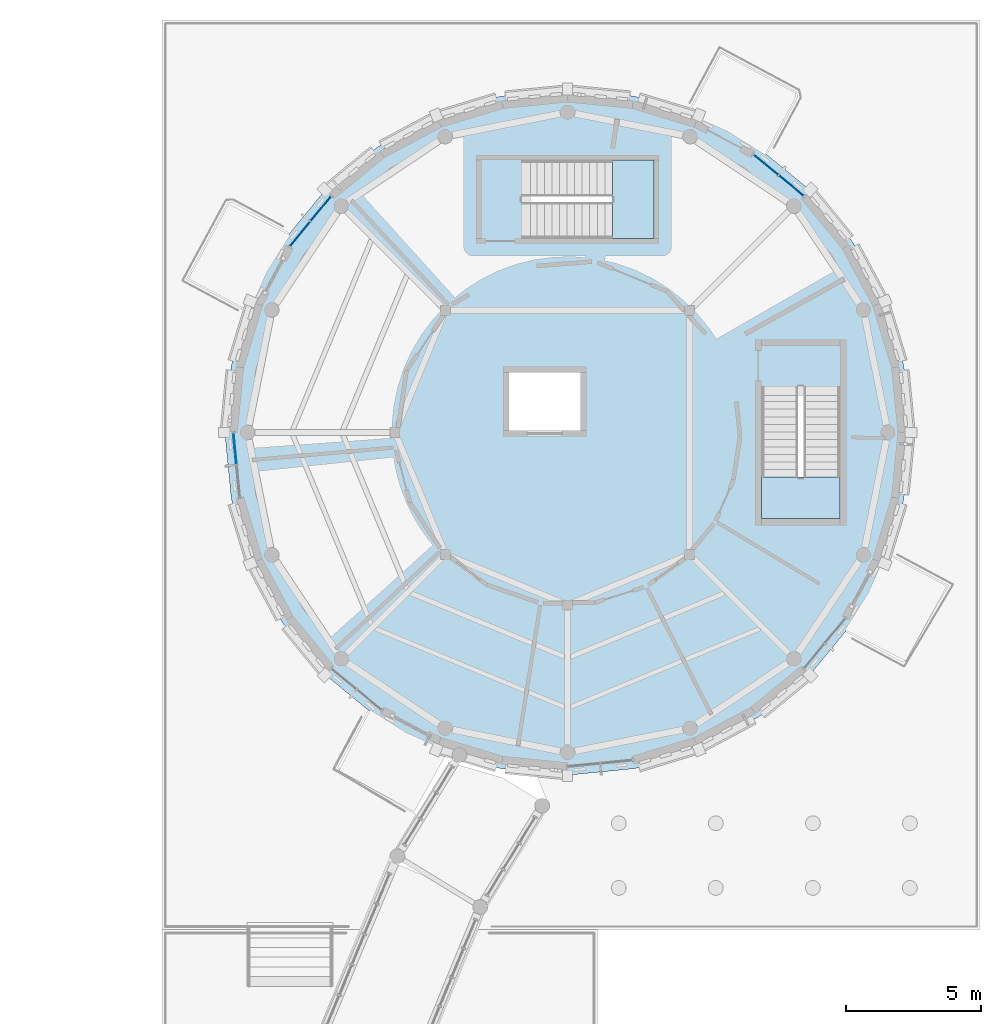
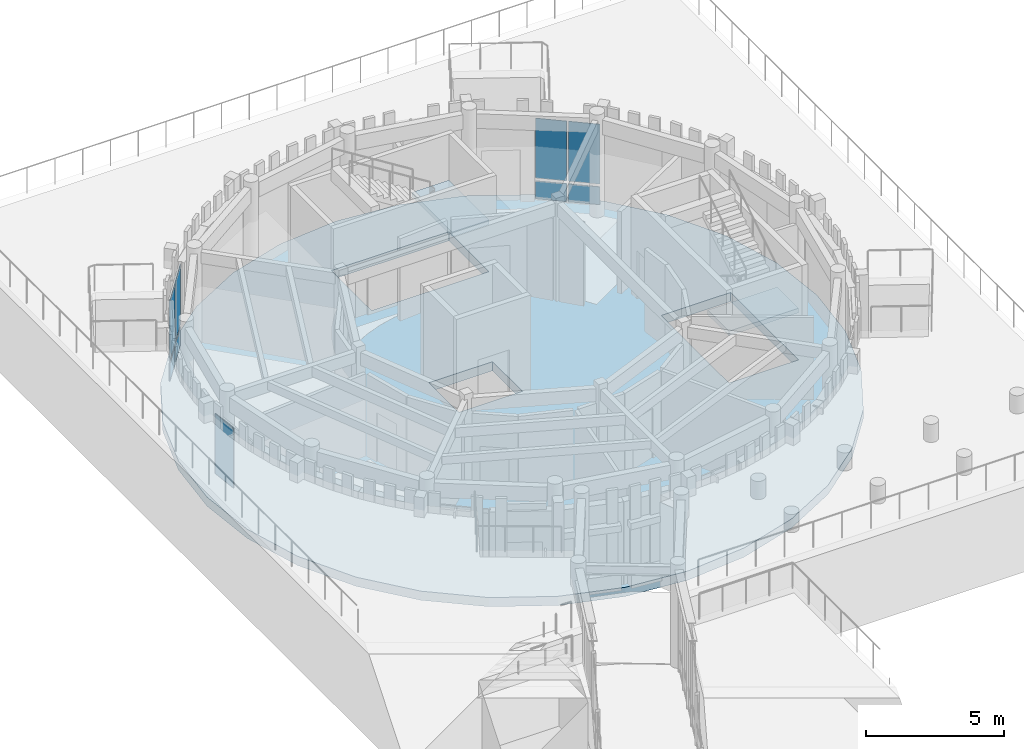
# One storey, part 44 of 94: 9 plates, 3 slabs, 5 elements without a shape of their own.
"""IFC4 building model written with IfcOpenShell, lengths in metres."""

from ifc_helpers import new_model, si_unit, direction, frame, origin, origin_2d, place, context, subcontext, project, spatial, polyline, rectangle, outline, extrude, material, layer, layer_set, type_object, element, aggregate, save


model = new_model("IFC4")

# Units and contexts
model_context = context("Model", 3, precision=1e-05, world=origin(), true_north=direction((0.0, 1.0)))
body_context = subcontext(model_context, "Body", "Model", "MODEL_VIEW")
ifc_project = project(units=[si_unit("LENGTHUNIT", "METRE"), si_unit("AREAUNIT", "SQUARE_METRE"), si_unit("VOLUMEUNIT", "CUBIC_METRE"), si_unit("PLANEANGLEUNIT", "RADIAN"), si_unit("MASSUNIT", "GRAM", prefix="KILO")], contexts=[model_context])

# Site, building, storey
site_placement = place(None, origin())
site = spatial("IfcSite", under=ifc_project, at=site_placement, CompositionType="ELEMENT")
building_placement = place(site_placement, origin())
building = spatial("IfcBuilding", under=site, at=building_placement, Name="Aldenvaro Health Centre", CompositionType="ELEMENT")
storey_placement = place(building_placement, origin())
storey = spatial("IfcBuildingStorey", under=building, at=storey_placement, Name="L00", CompositionType="ELEMENT", Elevation=0.0)

# Curtain wall, plate
ifc_material_1 = material(Name="Anodised Aluminium 6063-T6", Category="aluminium")
ifc_layer_1 = layer(ifc_material_1, 0.195068359375, Name="Anodised Aluminium 6063-T6", Category="aluminium")
ifc_layer_set_1 = layer_set([ifc_layer_1], Name="Anodised Aluminium 6063-T6")
curtain_wall_type = type_object("IfcCurtainWallType", Name="CW-CLN-02", PredefinedType="NOTDEFINED", material=ifc_layer_set_1)
curtain_wall_1_placement = place(storey_placement, origin())
curtain_wall_1 = element("IfcCurtainWall", 1, at=curtain_wall_1_placement, inside=storey, type_object=curtain_wall_type, Name="D2 L00 curtain wall bay 16", PredefinedType="NOTDEFINED")
ifc_material_2 = material(Name="Low-E Double Glazing IGU", Category="glass")
ifc_layer_2 = layer(ifc_material_2, 0.028076171875, Name="Low-E Double Glazing IGU", Category="glass")
ifc_layer_set_2 = layer_set([ifc_layer_2], Name="Low-E Double Glazing IGU")
plate_type_1 = type_object("IfcPlateType", Name="CWP-IGU-28", PredefinedType="CURTAIN_PANEL", material=ifc_layer_set_2)
plate_1_placement = place(storey_placement, frame((142.158935546875, 98.89501953125, 0.96044921875), z_axis=(0.0, 0.0, 1.0), x_axis=(-0.097914988926, 0.995194782414, 0.0)))
plate_1 = element("IfcPlate", 2, at=plate_1_placement, type_object=plate_type_1, Name="D2 L00 curtain wall bay 16 vision glazing 2", PredefinedType="CURTAIN_PANEL", context=body_context, shape_type="SweptSolid", body=[
    extrude(rectangle(XDim=1.14501953125, YDim=0.028076171875, at=origin_2d()), origin(), (0.0, 0.0, 1.0), 2.638916015625),
])
aggregate(curtain_wall_1, [plate_1])

# Curtain wall, plates
curtain_wall_2_placement = place(storey_placement, origin())
curtain_wall_2 = element("IfcCurtainWall", 3, at=curtain_wall_2_placement, inside=storey, type_object=curtain_wall_type, Name="D2 L00 curtain wall bay 20", PredefinedType="NOTDEFINED")
plate_2_placement = place(storey_placement, frame((144.575927734375, 106.85888671875, 0.96044921875), z_axis=(0.0, 0.0, 1.0), x_axis=(0.634379653268, 0.773021639749, 0.0)))
plate_2 = element("IfcPlate", 4, at=plate_2_placement, type_object=plate_type_1, Name="D2 L00 curtain wall bay 20 vision glazing 1", PredefinedType="CURTAIN_PANEL", context=body_context, shape_type="SweptSolid", body=[
    extrude(rectangle(XDim=1.14501953125, YDim=0.028076171875, at=origin_2d()), origin(), (0.0, 0.0, 1.0), 2.638916015625),
])
plate_3_placement = place(storey_placement, frame((145.345947265625, 107.798095703125, 0.96044921875), z_axis=(0.0, 0.0, 1.0), x_axis=(0.634379653268, 0.773021639749, 0.0)))
plate_3 = element("IfcPlate", 5, at=plate_3_placement, type_object=plate_type_1, Name="D2 L00 curtain wall bay 20 vision glazing 2", PredefinedType="CURTAIN_PANEL", context=body_context, shape_type="SweptSolid", body=[
    extrude(rectangle(XDim=1.14501953125, YDim=0.028076171875, at=origin_2d()), origin(), (0.0, 0.0, 1.0), 2.638916015625),
])

curtain_wall_3_placement = place(storey_placement, origin())
curtain_wall_3 = element("IfcCurtainWall", 6, at=curtain_wall_3_placement, inside=storey, type_object=curtain_wall_type, Name="D2 L00 curtain wall bay 28", PredefinedType="NOTDEFINED")
plate_4_placement = place(storey_placement, frame((161.85888671875, 109.424072265625, 0.96044921875), z_axis=(0.0, 0.0, 1.0), x_axis=(0.773021639749, -0.634379653268, 0.0)))
plate_4 = element("IfcPlate", 7, at=plate_4_placement, type_object=plate_type_1, Name="D2 L00 curtain wall bay 28 vision glazing 1", PredefinedType="CURTAIN_PANEL", context=body_context, shape_type="SweptSolid", body=[
    extrude(rectangle(XDim=1.14501953125, YDim=0.028076171875, at=origin_2d()), origin(), (0.0, 0.0, 1.0), 2.638916015625),
])
plate_5_placement = place(storey_placement, frame((162.798095703125, 108.654052734375, 0.96044921875), z_axis=(0.0, 0.0, 1.0), x_axis=(0.773021639749, -0.634379653268, 0.0)))
plate_5 = element("IfcPlate", 8, at=plate_5_placement, type_object=plate_type_1, Name="D2 L00 curtain wall bay 28 vision glazing 2", PredefinedType="CURTAIN_PANEL", context=body_context, shape_type="SweptSolid", body=[
    extrude(rectangle(XDim=1.14501953125, YDim=0.028076171875, at=origin_2d()), origin(), (0.0, 0.0, 1.0), 2.638916015625),
])

# Plate
ifc_material_3 = material(Name="Insulated Aluminium Spandrel", Category="aluminium")
ifc_layer_3 = layer(ifc_material_3, 0.035888671875, Name="Insulated Aluminium Spandrel", Category="aluminium")
ifc_layer_set_3 = layer_set([ifc_layer_3], Name="Insulated Aluminium Spandrel")
plate_type_2 = type_object("IfcPlateType", Name="CWP-SPN-36", PredefinedType="CURTAIN_PANEL", material=ifc_layer_set_3)
plate_6_placement = place(storey_placement, frame((144.575927734375, 106.85888671875, 0.06005859375), z_axis=(0.0, 0.0, 1.0), x_axis=(0.634379653268, 0.773021639749, 0.0)))
plate_6 = element("IfcPlate", 9, at=plate_6_placement, type_object=plate_type_2, Name="D2 L00 curtain wall bay 20 spandrel panel 1", PredefinedType="CURTAIN_PANEL", context=body_context, shape_type="SweptSolid", body=[
    extrude(rectangle(XDim=1.14501953125, YDim=0.035888671875, at=origin_2d()), origin(), (0.0, 0.0, 1.0), 0.780029296875),
])

plate_7_placement = place(storey_placement, frame((145.345947265625, 107.798095703125, 0.06005859375), z_axis=(0.0, 0.0, 1.0), x_axis=(0.634379653268, 0.773021639749, 0.0)))
plate_7 = element("IfcPlate", 10, at=plate_7_placement, type_object=plate_type_2, Name="D2 L00 curtain wall bay 20 spandrel panel 2", PredefinedType="CURTAIN_PANEL", context=body_context, shape_type="SweptSolid", body=[
    extrude(rectangle(XDim=1.14501953125, YDim=0.035888671875, at=origin_2d()), origin(), (0.0, 0.0, 1.0), 0.780029296875),
])

aggregate(curtain_wall_2, [plate_6, plate_2, plate_7, plate_3])

plate_8_placement = place(storey_placement, frame((161.85888671875, 109.424072265625, 0.06005859375), z_axis=(0.0, 0.0, 1.0), x_axis=(0.773021639749, -0.634379653268, 0.0)))
plate_8 = element("IfcPlate", 11, at=plate_8_placement, type_object=plate_type_2, Name="D2 L00 curtain wall bay 28 spandrel panel 1", PredefinedType="CURTAIN_PANEL", context=body_context, shape_type="SweptSolid", body=[
    extrude(rectangle(XDim=1.14501953125, YDim=0.035888671875, at=origin_2d()), origin(), (0.0, 0.0, 1.0), 0.780029296875),
])

plate_9_placement = place(storey_placement, frame((162.798095703125, 108.654052734375, 0.06005859375), z_axis=(0.0, 0.0, 1.0), x_axis=(0.773021639749, -0.634379653268, 0.0)))
plate_9 = element("IfcPlate", 12, at=plate_9_placement, type_object=plate_type_2, Name="D2 L00 curtain wall bay 28 spandrel panel 2", PredefinedType="CURTAIN_PANEL", context=body_context, shape_type="SweptSolid", body=[
    extrude(rectangle(XDim=1.14501953125, YDim=0.035888671875, at=origin_2d()), origin(), (0.0, 0.0, 1.0), 0.780029296875),
])

aggregate(curtain_wall_3, [plate_8, plate_4, plate_9, plate_5])

# Stair, slab
ifc_material_4 = material(Name="Concrete f'c 40 MPa", Category="concrete")
stair_type = type_object("IfcStairType", Name="STR-DOG-455", PredefinedType="HALF_TURN_STAIR", material=ifc_material_4)
stair_1_placement = place(storey_placement, origin())
stair_1 = element("IfcStair", 13, at=stair_1_placement, inside=storey, type_object=stair_type, Name="L00 Exit Stair ST-03", PredefinedType="HALF_TURN_STAIR")
ifc_layer_4 = layer(ifc_material_4, 0.199951171875, Name="Concrete f'c 40 MPa", Category="concrete")
ifc_layer_set_4 = layer_set([ifc_layer_4], Name="Concrete f'c 40 MPa")
slab_type_1 = type_object("IfcSlabType", Name="SLB-LND-200", PredefinedType="LANDING", material=ifc_layer_set_4)
slab_1_placement = place(storey_placement, frame((0.0, 0.0, 2.074951171875)))
slab_1 = element("IfcSlab", 14, at=slab_1_placement, type_object=slab_type_1, Name="ST-03 landing 1", PredefinedType="LANDING", context=body_context, shape_type="SweptSolid", body=[
    extrude(outline(polyline([(161.699951171875, 97.840087890625), (161.699951171875, 96.300048828125), (164.60009765625, 96.300048828125), (164.60009765625, 97.840087890625), (161.699951171875, 97.840087890625)])), origin(), (0.0, 0.0, 1.0), 0.199951171875),
])
aggregate(stair_1, [slab_1])

stair_2_placement = place(storey_placement, origin())
stair_2 = element("IfcStair", 15, at=stair_2_placement, inside=storey, type_object=stair_type, Name="L00 Exit Stair ST-04", PredefinedType="HALF_TURN_STAIR")
slab_2_placement = place(storey_placement, frame((0.0, 0.0, 2.074951171875)))
slab_2 = element("IfcSlab", 16, at=slab_2_placement, type_object=slab_type_1, Name="ST-04 landing 1", PredefinedType="LANDING", context=body_context, shape_type="SweptSolid", body=[
    extrude(outline(polyline([(156.159912109375, 106.699951171875), (157.699951171875, 106.699951171875), (157.699951171875, 109.60009765625), (156.159912109375, 109.60009765625), (156.159912109375, 106.699951171875)])), origin(), (0.0, 0.0, 1.0), 0.199951171875),
])
aggregate(stair_2, [slab_2])

# Slab
ifc_layer_5 = layer(ifc_material_4, 0.402099609375, Name="Concrete f'c 40 MPa", Category="concrete")
ifc_layer_set_5 = layer_set([ifc_layer_5], Name="Concrete f'c 40 MPa")
slab_type_2 = type_object("IfcSlabType", Name="SLB-POD-295", PredefinedType="FLOOR", material=ifc_layer_set_5)
slab_3_placement = place(storey_placement, frame((0.0, 0.0, -0.402099609375)))
element("IfcSlab", 17, at=slab_3_placement, inside=storey, type_object=slab_type_2, Name="D2 L00 floor slab", PredefinedType="FLOOR", context=body_context, shape_type="SweptSolid", body=[
    extrude(outline(polyline([(167.219970703125, 99.5), (166.97607421875, 101.98193359375), (166.251953125, 104.367919921875), (165.075927734375, 106.56689453125), (163.493896484375, 108.493896484375), (161.56689453125, 110.075927734375), (159.367919921875, 111.251953125), (156.98193359375, 111.97607421875), (154.5, 112.219970703125), (152.01806640625, 111.97607421875), (149.632080078125, 111.251953125), (147.43310546875, 110.075927734375), (145.506103515625, 108.493896484375), (143.924072265625, 106.56689453125), (142.748046875, 104.367919921875), (142.02392578125, 101.98193359375), (141.780029296875, 99.5), (142.02392578125, 97.01806640625), (142.748046875, 94.632080078125), (143.924072265625, 92.43310546875), (145.506103515625, 90.506103515625), (147.43310546875, 88.924072265625), (149.632080078125, 87.748046875), (152.01806640625, 87.02392578125), (154.5, 86.780029296875), (156.98193359375, 87.02392578125), (159.367919921875, 87.748046875), (161.56689453125, 88.924072265625), (163.493896484375, 90.506103515625), (165.075927734375, 92.43310546875), (166.251953125, 94.632080078125), (166.97607421875, 97.01806640625), (167.219970703125, 99.5)]), holes=[polyline([(161.699951171875, 101.199951171875), (161.699951171875, 96.300048828125), (164.60009765625, 96.300048828125), (164.60009765625, 101.199951171875), (161.699951171875, 101.199951171875)]), polyline([(152.800048828125, 106.699951171875), (157.699951171875, 106.699951171875), (157.699951171875, 109.60009765625), (152.800048828125, 109.60009765625), (152.800048828125, 106.699951171875)]), polyline([(152.324951171875, 99.574951171875), (154.97509765625, 99.574951171875), (154.97509765625, 101.72509765625), (152.324951171875, 101.72509765625), (152.324951171875, 99.574951171875)])]), origin(), (0.0, 0.0, 1.0), 0.402099609375),
])

save(model, "model.ifc")
